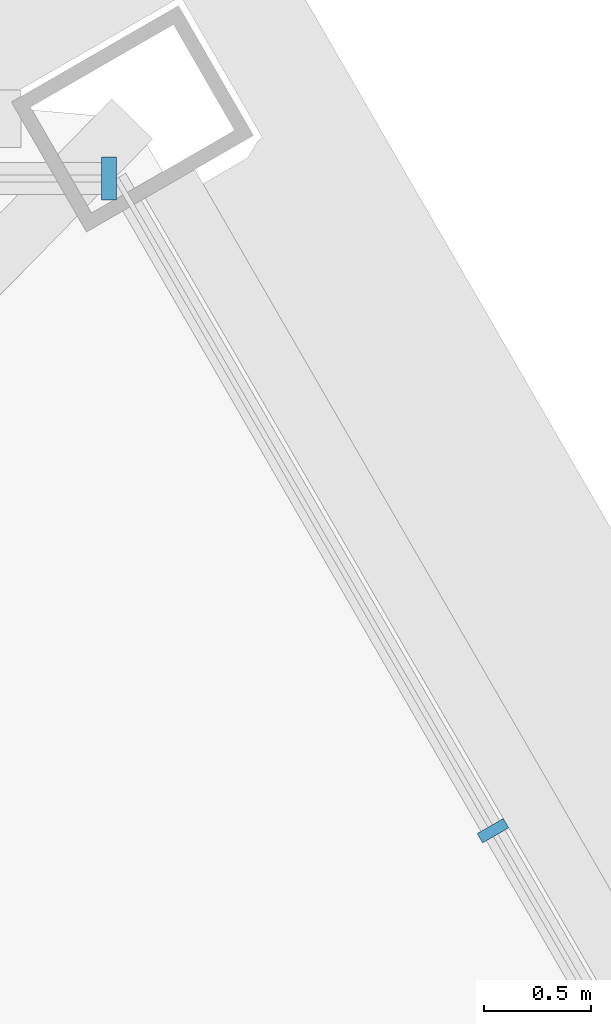
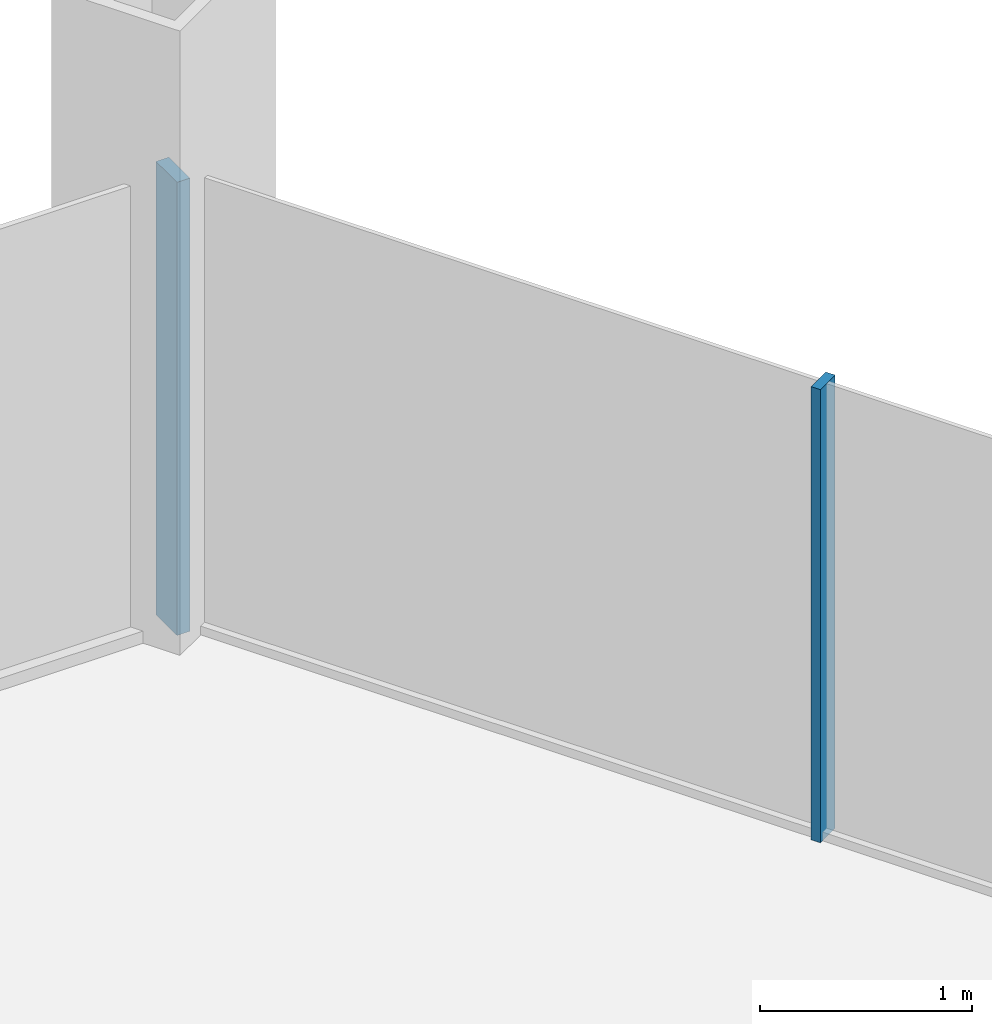
# One storey, part 10 of 18: 2 members, 2 elements without a shape of their own.
"""IFC4 building model written with IfcOpenShell, lengths in metres."""

from ifc_helpers import new_model, si_unit, direction, frame, origin, origin_2d, place, context, subcontext, project, spatial, rectangle, extrude, material, material_profile, profile_set, type_object, element, aggregate, save


model = new_model("IFC4")

# Units and contexts
model_context = context("Model", 3, precision=1e-05, world=origin(), true_north=direction((0.0, 1.0)))
body_context = subcontext(model_context, "Body", "Model", "MODEL_VIEW")
ifc_project = project(units=[si_unit("LENGTHUNIT", "METRE"), si_unit("AREAUNIT", "SQUARE_METRE"), si_unit("VOLUMEUNIT", "CUBIC_METRE"), si_unit("PLANEANGLEUNIT", "RADIAN"), si_unit("MASSUNIT", "GRAM", prefix="KILO")], contexts=[model_context])

# Site, building, storey
site_placement = place(None, origin())
site = spatial("IfcSite", under=ifc_project, at=site_placement, CompositionType="ELEMENT")
building_placement = place(site_placement, origin())
building = spatial("IfcBuilding", under=site, at=building_placement, Name="Verrane Prism Tower", CompositionType="ELEMENT")
storey_placement = place(building_placement, frame((0.0, 0.0, 54.800048828125)))
storey = spatial("IfcBuildingStorey", under=building, at=storey_placement, Name="L11", CompositionType="ELEMENT", Elevation=54.800048828125)

# Curtain wall, member
ifc_material_1 = material(Name="Aluminium framed insulated glazing", Category="aluminium")
curtain_wall_type_1 = type_object("IfcCurtainWallType", Name="Curtain wall CW-C 4200 module", PredefinedType="NOTDEFINED", material=ifc_material_1)
curtain_wall_1_placement = place(storey_placement, origin())
curtain_wall_1 = element("IfcCurtainWall", 1, at=curtain_wall_1_placement, inside=storey, type_object=curtain_wall_type_1, Name="Glazed curtain wall north-east corner L11", PredefinedType="NOTDEFINED")
ifc_material_2 = material(Name="Aluminium alloy 6063-T6", Category="aluminium")
ifc_material_profile_1 = material_profile(ifc_material_2, rectangle(XDim=0.139892578125, YDim=0.050048828125, at=origin_2d()), Name="Mullion 50x140 aluminium")
ifc_profile_set_1 = profile_set([ifc_material_profile_1], Name="Aluminium alloy 6063-T6")
member_type_1 = type_object("IfcMemberType", Name="Mullion 50x140 aluminium", PredefinedType="MULLION", material=ifc_profile_set_1)
member_1_placement = place(storey_placement, frame((27.231201171875, 17.74951171875, 0.0), z_axis=(0.0, 0.0, 1.0), x_axis=(-0.866026104978, -0.499998785495, 0.0)))
member_1 = element("IfcMember", 2, at=member_1_placement, type_object=member_type_1, Name="CW09.1 mullion 3", PredefinedType="MULLION", context=body_context, shape_type="SweptSolid", body=[
    extrude(rectangle(XDim=0.139892578125, YDim=0.050048828125, at=origin_2d()), origin(), (0.0, 0.0, 1.0), 2.61279296875),
])
aggregate(curtain_wall_1, [member_1])

ifc_material_3 = material(Name="Aluminium framed insulated glazing", Category="aluminium")
curtain_wall_type_2 = type_object("IfcCurtainWallType", Name="Curtain wall CW-A 8400 module", PredefinedType="NOTDEFINED", material=ifc_material_3)
curtain_wall_2_placement = place(storey_placement, origin())
curtain_wall_2 = element("IfcCurtainWall", 3, at=curtain_wall_2_placement, inside=storey, type_object=curtain_wall_type_2, Name="Glazed curtain wall north face L11", PredefinedType="NOTDEFINED")
ifc_material_4 = material(Name="Aluminium alloy 6063-T6", Category="aluminium")
ifc_material_profile_2 = material_profile(ifc_material_4, rectangle(XDim=0.199951171875, YDim=0.070068359375, at=origin_2d()), Name="Mullion 70x200 aluminium")
ifc_profile_set_2 = profile_set([ifc_material_profile_2], Name="Aluminium alloy 6063-T6")
member_type_2 = type_object("IfcMemberType", Name="Mullion 70x200 aluminium", PredefinedType="MULLION", material=ifc_profile_set_2)
member_2_placement = place(storey_placement, frame((25.440185546875, 20.791015625, 0.0), z_axis=(0.0, 0.0, 1.0), x_axis=(0.0, -1.0, 0.0)))
member_2 = element("IfcMember", 4, at=member_2_placement, type_object=member_type_2, Name="CW09.2 mullion 1", PredefinedType="MULLION", context=body_context, shape_type="SweptSolid", body=[
    extrude(rectangle(XDim=0.199951171875, YDim=0.070068359375, at=origin_2d()), origin(), (0.0, 0.0, 1.0), 2.61279296875),
])
aggregate(curtain_wall_2, [member_2])

save(model, "model.ifc")
